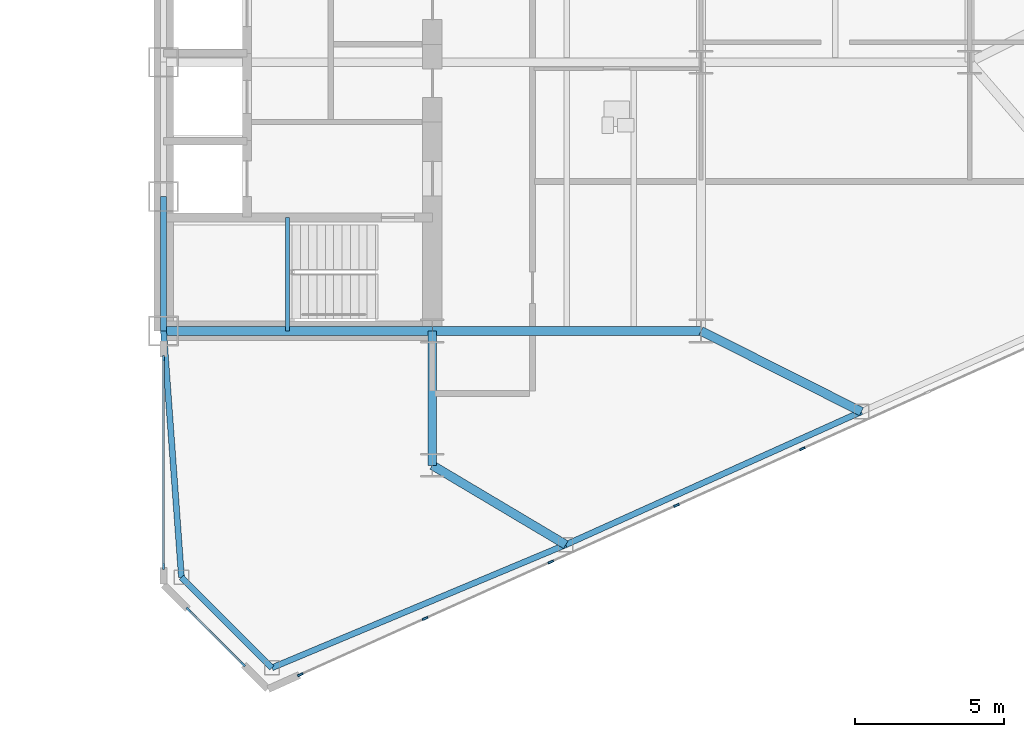
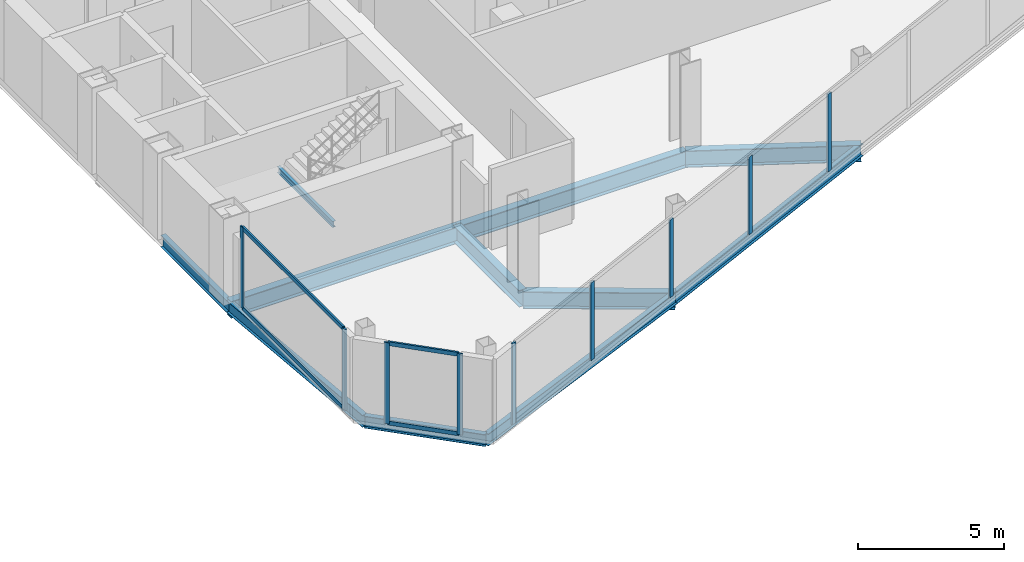
# One storey, part 10 of 27: 13 members, 11 beams, 3 elements without a shape of their own.
"""IFC4 building model written with IfcOpenShell, lengths in metres."""

from ifc_helpers import new_model, si_unit, direction, frame, origin, origin_2d, place, context, subcontext, project, spatial, rectangle, i_section, extrude, source, transform, mapped, material, layer, layer_set, material_profile, profile_set, type_object, type_shapes, element, aggregate, save


model = new_model("IFC4")

# Units and contexts
model_context = context("Model", 3, precision=1e-05, world=origin(), true_north=direction((0.0, 1.0)))
body_context = subcontext(model_context, "Body", "Model", "MODEL_VIEW")
ifc_project = project(units=[si_unit("LENGTHUNIT", "METRE"), si_unit("AREAUNIT", "SQUARE_METRE"), si_unit("VOLUMEUNIT", "CUBIC_METRE"), si_unit("PLANEANGLEUNIT", "RADIAN"), si_unit("MASSUNIT", "GRAM", prefix="KILO")], contexts=[model_context])

# Site, building, storey
site_placement = place(None, origin())
site = spatial("IfcSite", under=ifc_project, at=site_placement, CompositionType="ELEMENT")
building_placement = place(site_placement, origin())
building = spatial("IfcBuilding", under=site, at=building_placement, Name="Seokmaru Belvedere", CompositionType="ELEMENT")
storey_placement = place(building_placement, frame((0.0, 0.0, 72.89990234375)))
storey = spatial("IfcBuildingStorey", under=building, at=storey_placement, Name="L19", CompositionType="ELEMENT", Elevation=72.89990234375)

# Beams
ifc_material_1 = material(Name="Steel SM355 (355 MPa)", Category="steel")
ifc_material_profile_1 = material_profile(ifc_material_1, i_section(OverallWidth=0.199951171875, OverallDepth=0.5, WebThickness=0.010009765625, FlangeThickness=0.01611328125, at=origin_2d()), Name="H-500x200x10x16")
ifc_profile_set_1 = profile_set([ifc_material_profile_1], Name="Steel SM355 (355 MPa)")
beam_type_1 = type_object("IfcBeamType", Name="Perimeter Spandrel Beam H-500", PredefinedType="SPANDREL", material=ifc_profile_set_1)
shared_shape_1 = source(origin(), body_context, "Body", "SweptSolid", [
    extrude(i_section(OverallWidth=0.199951171875, OverallDepth=0.5, WebThickness=0.010009765625, FlangeThickness=0.01611328125, at=origin_2d()), origin(), (0.0, 0.0, 1.0), 4.5),
])
beam_1_placement = place(storey_placement, frame((27.5, -13.5, -0.469970703125), z_axis=(0.0, 1.0, 0.0), x_axis=(-1.0, 0.0, 0.0)))
element("IfcBeam", 1, at=beam_1_placement, inside=storey, type_object=beam_type_1, Name="L19 E Portal Spine Spandrel 1", PredefinedType="SPANDREL", context=body_context, shape_type="MappedRepresentation", body=[
    mapped(shared_shape_1, transform((0.0, 0.0, 0.0), scale=1.0)),
])
ifc_material_profile_2 = material_profile(ifc_material_1, i_section(OverallWidth=0.300048828125, OverallDepth=0.699951171875, WebThickness=0.012939453125, FlangeThickness=0.02392578125, at=origin_2d()), Name="H-700x300x13x24")
ifc_profile_set_2 = profile_set([ifc_material_profile_2], Name="Steel SM355 (355 MPa)")
beam_type_2 = type_object("IfcBeamType", Name="Primary Floor Girder H-700", PredefinedType="BEAM", material=ifc_profile_set_2)
shared_shape_2 = source(origin(), body_context, "Body", "SweptSolid", [
    extrude(i_section(OverallWidth=0.300048828125, OverallDepth=0.699951171875, WebThickness=0.012939453125, FlangeThickness=0.02392578125, at=origin_2d()), origin(), (0.0, 0.0, 1.0), 4.5),
])
beam_2_placement = place(storey_placement, frame((36.5, -18.0, -0.56982421875), z_axis=(0.0, 1.0, 0.0), x_axis=(-1.0, 0.0, 0.0)))
element("IfcBeam", 2, at=beam_2_placement, inside=storey, type_object=beam_type_2, Name="L19 E Core Shoulder Girder S", PredefinedType="BEAM", context=body_context, shape_type="MappedRepresentation", body=[
    mapped(shared_shape_2, transform((0.0, 0.0, 0.0), scale=1.0)),
])
shared_shape_3 = source(origin(), body_context, "Body", "SweptSolid", [
    extrude(i_section(OverallWidth=0.300048828125, OverallDepth=0.699951171875, WebThickness=0.012939453125, FlangeThickness=0.02392578125, at=origin_2d()), origin(), (0.0, 0.0, 1.0), 9.0),
])
for number, where, z_axis, x_axis, name in (
    (3, (27.5, -13.5, -0.56982421875), (1.0, 0.0, 0.0), (0.0, 1.0, 0.0), "L19 E Core Tie Girder 1"),
    (4, (36.5, -13.5, -0.56982421875), (1.0, 0.0, 0.0), (0.0, 1.0, 0.0), "L19 E Wing Primary Girder 1"),
):
    element("IfcBeam", number, at=place(storey_placement, frame(where, z_axis=z_axis, x_axis=x_axis)), inside=storey, type_object=beam_type_2, Name=name, PredefinedType="BEAM", context=body_context, shape_type="MappedRepresentation", body=[
        mapped(shared_shape_3, transform((0.0, 0.0, 0.0), scale=1.0)),
    ])
shared_shape_4 = source(origin(), body_context, "Body", "SweptSolid", [
    extrude(i_section(OverallWidth=0.199951171875, OverallDepth=0.5, WebThickness=0.010009765625, FlangeThickness=0.01611328125, at=origin_2d()), origin(), (0.0, 0.0, 1.0), 10.66943359375),
])
beam_3_placement = place(storey_placement, frame((31.13134765625, -24.782958984375, -0.469970703125), z_axis=(0.922375393128, 0.386294750355, 0.0), x_axis=(-0.386294750355, 0.922375393128, 0.0)))
element("IfcBeam", 5, at=beam_3_placement, inside=storey, type_object=beam_type_1, Name="L19 E Faceted Flank Spandrel S-1", PredefinedType="SPANDREL", context=body_context, shape_type="MappedRepresentation", body=[
    mapped(shared_shape_4, transform((0.0, 0.0, 0.0), scale=1.0)),
])
shared_shape_5 = source(origin(), body_context, "Body", "SweptSolid", [
    extrude(i_section(OverallWidth=0.199951171875, OverallDepth=0.5, WebThickness=0.010009765625, FlangeThickness=0.01611328125, at=origin_2d()), origin(), (0.0, 0.0, 1.0), 10.85888671875),
])
beam_4_placement = place(storey_placement, frame((40.97265625, -20.661376953125, -0.469970703125), z_axis=(0.911921505175, 0.410364677329, 0.0), x_axis=(-0.410364677329, 0.911921505175, 0.0)))
element("IfcBeam", 6, at=beam_4_placement, inside=storey, type_object=beam_type_1, Name="L19 E Faceted Flank Spandrel S-2", PredefinedType="SPANDREL", context=body_context, shape_type="MappedRepresentation", body=[
    mapped(shared_shape_5, transform((0.0, 0.0, 0.0), scale=1.0)),
])
shared_shape_6 = source(origin(), body_context, "Body", "SweptSolid", [
    extrude(i_section(OverallWidth=0.199951171875, OverallDepth=0.5, WebThickness=0.010009765625, FlangeThickness=0.01611328125, at=origin_2d()), origin(), (0.0, 0.0, 1.0), 4.287109375),
])
beam_5_placement = place(storey_placement, frame((31.13134765625, -24.782958984375, -0.469970703125), z_axis=(-0.707078306132, 0.707135255094, 0.0), x_axis=(-0.707135255094, -0.707078306132, 0.0)))
element("IfcBeam", 7, at=beam_5_placement, inside=storey, type_object=beam_type_1, Name="L19 E Shoulder Chamfer Spandrel S", PredefinedType="SPANDREL", context=body_context, shape_type="MappedRepresentation", body=[
    mapped(shared_shape_6, transform((0.0, 0.0, 0.0), scale=1.0)),
])
shared_shape_7 = source(origin(), body_context, "Body", "SweptSolid", [
    extrude(i_section(OverallWidth=0.199951171875, OverallDepth=0.5, WebThickness=0.010009765625, FlangeThickness=0.01611328125, at=origin_2d()), origin(), (0.0, 0.0, 1.0), 8.273193359375),
])
type_shapes(beam_type_1, [shared_shape_1, shared_shape_4, shared_shape_5, shared_shape_6, shared_shape_7])
beam_6_placement = place(storey_placement, frame((28.10009765625, -21.75146484375, -0.469970703125), z_axis=(-0.072534628348, 0.99736589459, 0.0), x_axis=(-0.99736589459, -0.072534628348, 0.0)))
element("IfcBeam", 8, at=beam_6_placement, inside=storey, type_object=beam_type_1, Name="L19 E Shoulder Spine Spandrel S", PredefinedType="SPANDREL", context=body_context, shape_type="MappedRepresentation", body=[
    mapped(shared_shape_7, transform((0.0, 0.0, 0.0), scale=1.0)),
])
shared_shape_8 = source(origin(), body_context, "Body", "SweptSolid", [
    extrude(i_section(OverallWidth=0.300048828125, OverallDepth=0.699951171875, WebThickness=0.012939453125, FlangeThickness=0.02392578125, at=origin_2d()), origin(), (0.0, 0.0, 1.0), 5.20458984375),
])
beam_7_placement = place(storey_placement, frame((40.97265625, -20.661376953125, -0.56982421875), z_axis=(-0.859370434188, 0.511353553662, 0.0), x_axis=(-0.511353553662, -0.859370434188, 0.0)))
element("IfcBeam", 9, at=beam_7_placement, inside=storey, type_object=beam_type_2, Name="L19 E Flank Radial Floor Girder S-1", PredefinedType="BEAM", context=body_context, shape_type="MappedRepresentation", body=[
    mapped(shared_shape_8, transform((0.0, 0.0, 0.0), scale=1.0)),
])
shared_shape_9 = source(origin(), body_context, "Body", "SweptSolid", [
    extrude(i_section(OverallWidth=0.300048828125, OverallDepth=0.699951171875, WebThickness=0.012939453125, FlangeThickness=0.02392578125, at=origin_2d()), origin(), (0.0, 0.0, 1.0), 6.017333984375),
])
type_shapes(beam_type_2, [shared_shape_2, shared_shape_3, shared_shape_8, shared_shape_9])
beam_8_placement = place(storey_placement, frame((50.875, -16.205322265625, -0.56982421875), z_axis=(-0.893239341975, 0.449581447512, 0.0), x_axis=(-0.449581447512, -0.893239341975, 0.0)))
element("IfcBeam", 10, at=beam_8_placement, inside=storey, type_object=beam_type_2, Name="L19 E Flank Radial Floor Girder S-2", PredefinedType="BEAM", context=body_context, shape_type="MappedRepresentation", body=[
    mapped(shared_shape_9, transform((0.0, 0.0, 0.0), scale=1.0)),
])

# Curtain wall, members
ifc_material_2 = material(Name="Bronze Triple Insulating Glass", Category="glass")
ifc_layer = layer(ifc_material_2, 0.195068359375)
ifc_layer_set = layer_set([ifc_layer], Name="Bronze Triple Insulating Glass")
curtain_wall_type = type_object("IfcCurtainWallType", Name="Lower-Mid Tapered Curtain Wall System CW-3", PredefinedType="NOTDEFINED", material=ifc_layer_set)
curtain_wall_1_placement = place(storey_placement, origin())
curtain_wall_1 = element("IfcCurtainWall", 11, at=curtain_wall_1_placement, inside=storey, type_object=curtain_wall_type, Name="L19 Curtain Wall ESP_1", PredefinedType="NOTDEFINED")
ifc_material_3 = material(Name="Anodised Bronze Aluminium", Category="aluminium")
ifc_material_profile_3 = material_profile(ifc_material_3, rectangle(XDim=0.070068359375, YDim=0.1650390625, at=origin_2d()), Name="CW-T-70x165")
ifc_profile_set_3 = profile_set([ifc_material_profile_3], Name="Anodised Bronze Aluminium")
member_type_1 = type_object("IfcMemberType", Name="Bronze Unitised Transom 70x165", PredefinedType="USERDEFINED", material=ifc_profile_set_3)
shared_shape_10 = source(origin(), body_context, "Body", "SweptSolid", [
    extrude(rectangle(XDim=0.070068359375, YDim=0.1650390625, at=origin_2d()), origin(), (0.0, 0.0, 1.0), 6.91015625),
])
member_1_placement = place(storey_placement, frame((27.5, -14.449951171875, 0.03515625), z_axis=(0.0, -1.0, 0.0), x_axis=(1.0, 0.0, 0.0)))
member_1 = element("IfcMember", 12, at=member_1_placement, type_object=member_type_1, Name="CW:L19:ESP_1 Continuous Transom 1", ObjectType="TRANSOM", PredefinedType="USERDEFINED", context=body_context, shape_type="MappedRepresentation", body=[
    mapped(shared_shape_10, transform((0.0, 0.0, 0.0), scale=1.0)),
])
member_2_placement = place(storey_placement, frame((27.5, -14.449951171875, 3.34521484375), z_axis=(0.0, -1.0, 0.0), x_axis=(1.0, 0.0, 0.0)))
member_2 = element("IfcMember", 13, at=member_2_placement, type_object=member_type_1, Name="CW:L19:ESP_1 Continuous Transom 2", ObjectType="TRANSOM", PredefinedType="USERDEFINED", context=body_context, shape_type="MappedRepresentation", body=[
    mapped(shared_shape_10, transform((0.0, 0.0, 0.0), scale=1.0)),
])

curtain_wall_2_placement = place(storey_placement, origin())
curtain_wall_2 = element("IfcCurtainWall", 14, at=curtain_wall_2_placement, inside=storey, type_object=curtain_wall_type, Name="L19 Curtain Wall EF6", PredefinedType="NOTDEFINED")
shared_shape_11 = source(origin(), body_context, "Body", "SweptSolid", [
    extrude(rectangle(XDim=0.070068359375, YDim=0.1650390625, at=origin_2d()), origin(), (0.0, 0.0, 1.0), 2.509521484375),
])
type_shapes(member_type_1, [shared_shape_10, shared_shape_11])
member_3_placement = place(storey_placement, frame((28.36279296875, -22.86279296875, 0.03515625), z_axis=(0.707106781187, -0.707106781187, 0.0), x_axis=(0.707106781187, 0.707106781187, 0.0)))
member_3 = element("IfcMember", 15, at=member_3_placement, type_object=member_type_1, Name="CW:L19:EF6 Continuous Transom 1", ObjectType="TRANSOM", PredefinedType="USERDEFINED", context=body_context, shape_type="MappedRepresentation", body=[
    mapped(shared_shape_11, transform((0.0, 0.0, 0.0), scale=1.0)),
])
member_4_placement = place(storey_placement, frame((28.36279296875, -22.86279296875, 3.34521484375), z_axis=(0.707106781187, -0.707106781187, 0.0), x_axis=(0.707106781187, 0.707106781187, 0.0)))
member_4 = element("IfcMember", 16, at=member_4_placement, type_object=member_type_1, Name="CW:L19:EF6 Continuous Transom 2", ObjectType="TRANSOM", PredefinedType="USERDEFINED", context=body_context, shape_type="MappedRepresentation", body=[
    mapped(shared_shape_11, transform((0.0, 0.0, 0.0), scale=1.0)),
])

curtain_wall_3_placement = place(storey_placement, origin())
curtain_wall_3 = element("IfcCurtainWall", 17, at=curtain_wall_3_placement, inside=storey, type_object=curtain_wall_type, Name="L19 Curtain Wall EF1", PredefinedType="NOTDEFINED")
ifc_material_profile_4 = material_profile(ifc_material_3, rectangle(XDim=0.070068359375, YDim=0.195068359375, at=origin_2d()), Name="CW-M-70x195")
ifc_profile_set_4 = profile_set([ifc_material_profile_4], Name="Anodised Bronze Aluminium")
member_type_2 = type_object("IfcMemberType", Name="Bronze Unitised Mullion 70x195", PredefinedType="MULLION", material=ifc_profile_set_4)
shared_shape_12 = source(origin(), body_context, "Body", "SweptSolid", [
    extrude(rectangle(XDim=0.070068359375, YDim=0.195068359375, at=origin_2d()), origin(), (0.0, 0.0, 1.0), 3.239990234375),
])
member_5_placement = place(storey_placement, frame((36.260009765625, -23.133056640625, 0.070068359375), z_axis=(0.0, 0.0, 1.0), x_axis=(-0.41036554765, 0.91192111353, 0.0)))
member_5 = element("IfcMember", 18, at=member_5_placement, type_object=member_type_2, Name="CW:L19:EF1 Mullion 2", PredefinedType="MULLION", context=body_context, shape_type="MappedRepresentation", body=[
    mapped(shared_shape_12, transform((0.0, 0.0, 0.0), scale=1.0)),
])
member_6_placement = place(storey_placement, frame((40.471435546875, -21.23779296875, 0.070068359375), z_axis=(0.0, 0.0, 1.0), x_axis=(-0.41036554765, 0.91192111353, 0.0)))
member_6 = element("IfcMember", 19, at=member_6_placement, type_object=member_type_2, Name="CW:L19:EF1 Mullion 3", PredefinedType="MULLION", context=body_context, shape_type="MappedRepresentation", body=[
    mapped(shared_shape_12, transform((0.0, 0.0, 0.0), scale=1.0)),
])
member_7_placement = place(storey_placement, frame((44.682861328125, -19.3427734375, 0.070068359375), z_axis=(0.0, 0.0, 1.0), x_axis=(-0.41036554765, 0.91192111353, 0.0)))
member_7 = element("IfcMember", 20, at=member_7_placement, type_object=member_type_2, Name="CW:L19:EF1 Mullion 4", PredefinedType="MULLION", context=body_context, shape_type="MappedRepresentation", body=[
    mapped(shared_shape_12, transform((0.0, 0.0, 0.0), scale=1.0)),
])
member_8_placement = place(storey_placement, frame((48.894287109375, -17.447509765625, 0.070068359375), z_axis=(0.0, 0.0, 1.0), x_axis=(-0.41036554765, 0.91192111353, 0.0)))
member_8 = element("IfcMember", 21, at=member_8_placement, type_object=member_type_2, Name="CW:L19:EF1 Mullion 5", PredefinedType="MULLION", context=body_context, shape_type="MappedRepresentation", body=[
    mapped(shared_shape_12, transform((0.0, 0.0, 0.0), scale=1.0)),
])
shared_shape_13 = source(origin(), body_context, "Body", "SweptSolid", [
    extrude(rectangle(XDim=0.070068359375, YDim=0.195068359375, at=origin_2d()), origin(), (0.0, 0.0, 1.0), 3.380126953125),
])
type_shapes(member_type_2, [shared_shape_12, shared_shape_13])
member_9_placement = place(storey_placement, frame((32.08056640625, -25.013671875, 0.0), z_axis=(0.0, 0.0, 1.0), x_axis=(-0.41036554765, 0.91192111353, 0.0)))
member_9 = element("IfcMember", 22, at=member_9_placement, type_object=member_type_2, Name="CW:L19:EF1 Mullion 1", PredefinedType="MULLION", context=body_context, shape_type="MappedRepresentation", body=[
    mapped(shared_shape_13, transform((0.0, 0.0, 0.0), scale=1.0)),
])
aggregate(curtain_wall_3, [member_9, member_5, member_6, member_7, member_8])

# Member
member_10_placement = place(storey_placement, frame((27.5, -14.4150390625, 0.0), z_axis=(0.0, 0.0, 1.0), x_axis=(1.0, 0.0, 0.0)))
member_10 = element("IfcMember", 23, at=member_10_placement, type_object=member_type_2, Name="CW:L19:ESP_1 Mullion 1", PredefinedType="MULLION", context=body_context, shape_type="MappedRepresentation", body=[
    mapped(shared_shape_13, transform((0.0, 0.0, 0.0), scale=1.0)),
])

member_11_placement = place(storey_placement, frame((27.5, -21.39501953125, 0.0), z_axis=(0.0, 0.0, 1.0), x_axis=(1.0, 0.0, 0.0)))
member_11 = element("IfcMember", 24, at=member_11_placement, type_object=member_type_2, Name="CW:L19:ESP_1 Mullion 2", PredefinedType="MULLION", context=body_context, shape_type="MappedRepresentation", body=[
    mapped(shared_shape_13, transform((0.0, 0.0, 0.0), scale=1.0)),
])

aggregate(curtain_wall_1, [member_10, member_11, member_1, member_2])

member_12_placement = place(storey_placement, frame((28.337890625, -22.837890625, 0.0), z_axis=(0.0, 0.0, 1.0), x_axis=(0.707106781187, 0.707106781187, 0.0)))
member_12 = element("IfcMember", 25, at=member_12_placement, type_object=member_type_2, Name="CW:L19:EF6 Mullion 1", PredefinedType="MULLION", context=body_context, shape_type="MappedRepresentation", body=[
    mapped(shared_shape_13, transform((0.0, 0.0, 0.0), scale=1.0)),
])

member_13_placement = place(storey_placement, frame((30.162109375, -24.662109375, 0.0), z_axis=(0.0, 0.0, 1.0), x_axis=(0.707106781187, 0.707106781187, 0.0)))
member_13 = element("IfcMember", 26, at=member_13_placement, type_object=member_type_2, Name="CW:L19:EF6 Mullion 2", PredefinedType="MULLION", context=body_context, shape_type="MappedRepresentation", body=[
    mapped(shared_shape_13, transform((0.0, 0.0, 0.0), scale=1.0)),
])

aggregate(curtain_wall_2, [member_12, member_13, member_3, member_4])

# Beam
ifc_material_profile_5 = material_profile(ifc_material_1, i_section(OverallWidth=0.125, OverallDepth=0.25, WebThickness=0.006103515625, FlangeThickness=0.009033203125, at=origin_2d()), Name="H-250x125x6x9")
ifc_profile_set_5 = profile_set([ifc_material_profile_5], Name="Steel SM355 (355 MPa)")
beam_type_3 = type_object("IfcBeamType", Name="Stair Mid-Landing Support Beam H-250", PredefinedType="JOIST", material=ifc_profile_set_5)
shared_shape_14 = source(origin(), body_context, "Body", "SweptSolid", [
    extrude(i_section(OverallWidth=0.125, OverallDepth=0.25, WebThickness=0.006103515625, FlangeThickness=0.009033203125, at=origin_2d()), origin(), (0.0, 0.0, 1.0), 3.800048828125),
])
type_shapes(beam_type_3, [shared_shape_14])
beam_9_placement = place(storey_placement, frame((31.64990234375, -13.5, 1.47509765625), z_axis=(0.0, 1.0, 0.0), x_axis=(-1.0, 0.0, 0.0)))
element("IfcBeam", 27, at=beam_9_placement, inside=storey, type_object=beam_type_3, Name="L19 Stair ST-E1 Mid-Landing Support Beam 1", PredefinedType="JOIST", context=body_context, shape_type="MappedRepresentation", body=[
    mapped(shared_shape_14, transform((0.0, 0.0, 0.0), scale=1.0)),
])

save(model, "model.ifc")
